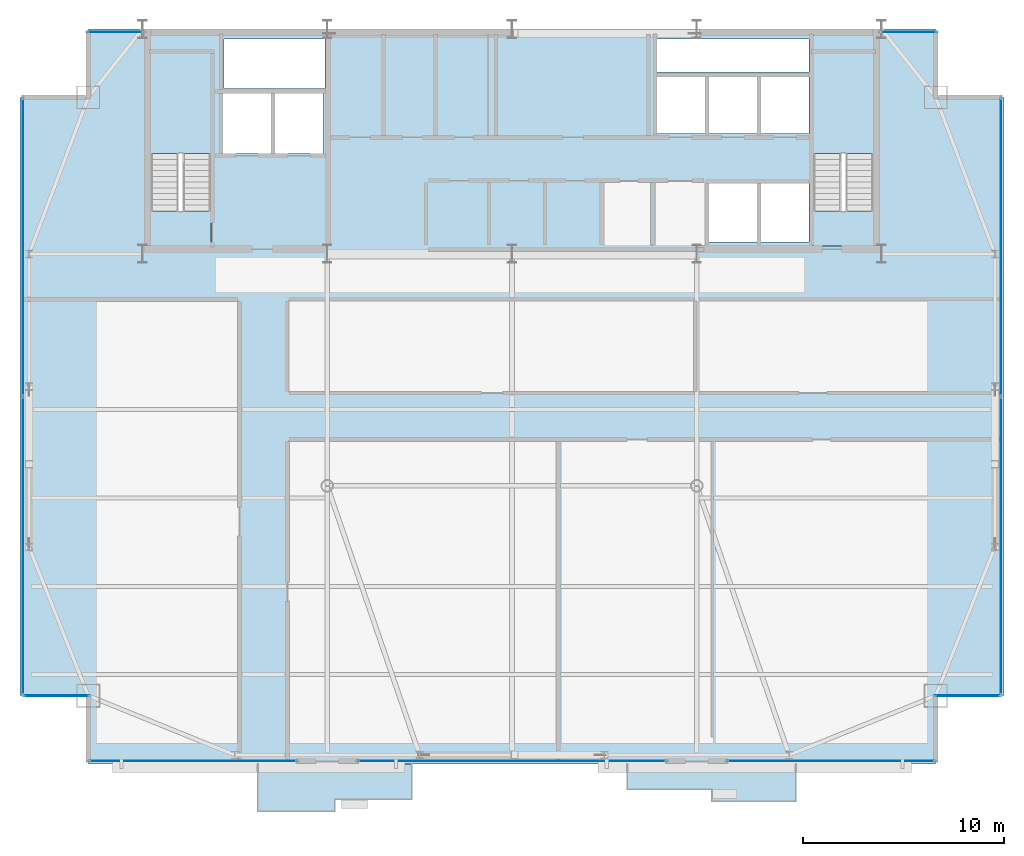
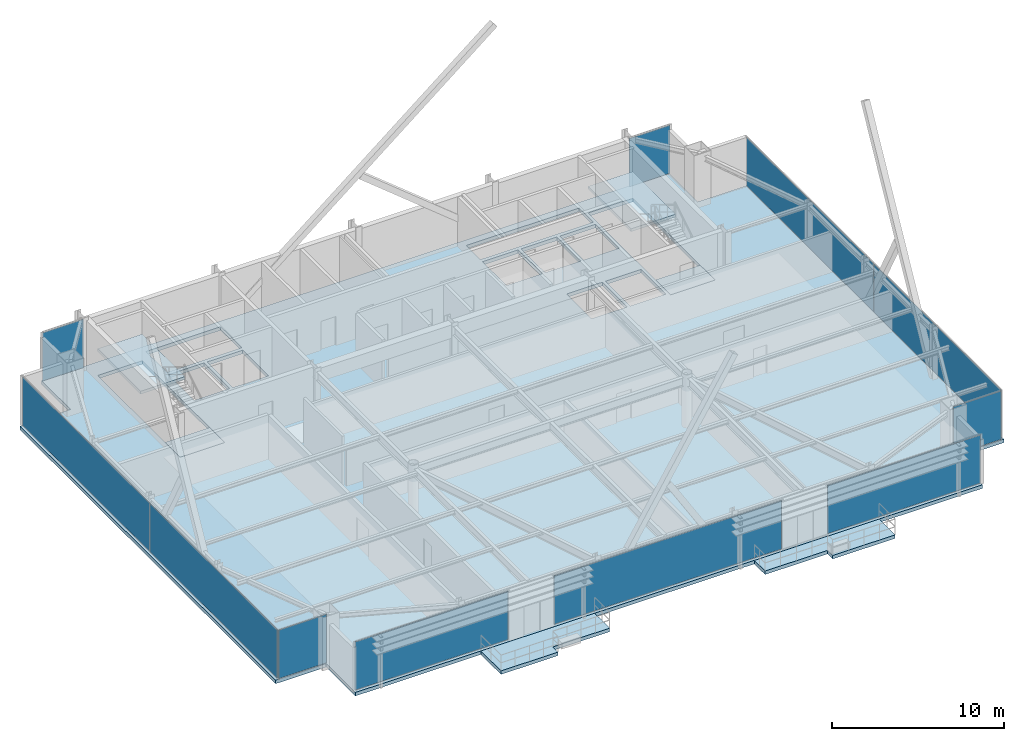
# One storey, part 24 of 31: 11 plates, 7 slabs, 11 elements without a shape of their own.
"""IFC4 building model written with IfcOpenShell, lengths in metres."""

from ifc_helpers import new_model, si_unit, direction, frame, origin, origin_2d, place, context, subcontext, project, spatial, polyline, rectangle, outline, extrude, source, transform, mapped, material, layer, layer_set, type_object, type_shapes, element, aggregate, save


model = new_model("IFC4")

# Units and contexts
model_context = context("Model", 3, precision=1e-05, world=origin(), true_north=direction((0.0, 1.0)))
body_context = subcontext(model_context, "Body", "Model", "MODEL_VIEW")
ifc_project = project(units=[si_unit("LENGTHUNIT", "METRE"), si_unit("AREAUNIT", "SQUARE_METRE"), si_unit("VOLUMEUNIT", "CUBIC_METRE"), si_unit("PLANEANGLEUNIT", "RADIAN"), si_unit("MASSUNIT", "GRAM", prefix="KILO")], contexts=[model_context])

# Site, building, storey
site_placement = place(None, origin())
site = spatial("IfcSite", under=ifc_project, at=site_placement, CompositionType="ELEMENT")
building_placement = place(site_placement, origin())
building = spatial("IfcBuilding", under=site, at=building_placement, Name="Varnel Quay Broadcast Tower", CompositionType="ELEMENT")
storey_placement = place(building_placement, frame((0.0, 0.0, 239.39990234375)))
storey = spatial("IfcBuildingStorey", under=building, at=storey_placement, Name="L59", CompositionType="ELEMENT", Elevation=239.39990234375)

# Slabs
ifc_material_1 = material(Name="Concrete CSA A23.3 C40/50", Category="concrete")
ifc_layer_1 = layer(ifc_material_1, 0.25, Name="Concrete CSA A23.3 C40/50")
ifc_layer_set_1 = layer_set([ifc_layer_1], Name="Concrete CSA A23.3 C40/50")
slab_type_1 = type_object("IfcSlabType", Name="Slab_ExtTerrace250", PredefinedType="FLOOR", material=ifc_layer_set_1)
slab_1_placement = place(storey_placement, frame((0.0, 0.0, -0.25)))
element("IfcSlab", 1, at=slab_1_placement, inside=storey, type_object=slab_type_1, Name="L59 Planted Lobe Terrace Slab 1", PredefinedType="FLOOR", context=body_context, shape_type="SweptSolid", body=[
    extrude(outline(polyline([(21.340087890625, 7.85400390625), (25.169921875, 7.85400390625), (25.169921875, 8.4541015625), (29.0, 8.4541015625), (29.0, 10.199951171875), (21.340087890625, 10.199951171875), (21.340087890625, 7.85400390625)])), origin(), (0.0, 0.0, 1.0), 0.25),
])
slab_2_placement = place(storey_placement, frame((0.0, 0.0, -0.25)))
element("IfcSlab", 2, at=slab_2_placement, inside=storey, type_object=slab_type_1, Name="L59 Planted Lobe Terrace Slab 2", PredefinedType="FLOOR", context=body_context, shape_type="SweptSolid", body=[
    extrude(outline(polyline([(39.739990234375, 8.946044921875), (43.93994140625, 8.946044921875), (43.93994140625, 8.345947265625), (48.139892578125, 8.345947265625), (48.139892578125, 10.199951171875), (39.739990234375, 10.199951171875), (39.739990234375, 8.946044921875)])), origin(), (0.0, 0.0, 1.0), 0.25),
])
ifc_material_2 = material(Name="Concrete CSA A23.3 C50/60", Category="concrete")
ifc_layer_2 = layer(ifc_material_2, 0.25, Name="Concrete CSA A23.3 C50/60")
ifc_layer_set_2 = layer_set([ifc_layer_2], Name="Concrete CSA A23.3 C50/60")
slab_type_2 = type_object("IfcSlabType", Name="Slab_Floor250", PredefinedType="FLOOR", material=ifc_layer_set_2)
slab_3_placement = place(storey_placement, frame((0.0, 0.0, -0.25)))
element("IfcSlab", 3, at=slab_3_placement, inside=storey, type_object=slab_type_2, Name="L59 Structural Slab", PredefinedType="FLOOR", context=body_context, shape_type="SweptSolid", body=[
    extrude(outline(polyline([(12.89990234375, 10.199951171875), (55.10009765625, 10.199951171875), (55.10009765625, 13.60009765625), (58.5, 13.60009765625), (58.5, 43.39990234375), (55.10009765625, 43.39990234375), (55.10009765625, 46.800048828125), (12.89990234375, 46.800048828125), (12.89990234375, 43.39990234375), (9.5, 43.39990234375), (9.5, 13.60009765625), (12.89990234375, 13.60009765625), (12.89990234375, 10.199951171875)]), holes=[polyline([(19.0, 36.0), (16.0, 36.0), (16.0, 45.60009765625), (19.0, 45.60009765625), (19.0, 36.0)]), polyline([(19.60009765625, 40.60009765625), (19.60009765625, 43.60009765625), (22.0, 43.60009765625), (22.0, 40.60009765625), (19.60009765625, 40.60009765625)]), polyline([(22.199951171875, 40.60009765625), (22.199951171875, 43.60009765625), (24.60009765625, 43.60009765625), (24.60009765625, 40.60009765625), (22.199951171875, 40.60009765625)]), polyline([(41.199951171875, 44.39990234375), (43.60009765625, 44.39990234375), (43.60009765625, 41.60009765625), (41.199951171875, 41.60009765625), (41.199951171875, 44.39990234375)]), polyline([(43.800048828125, 44.39990234375), (46.199951171875, 44.39990234375), (46.199951171875, 41.60009765625), (43.800048828125, 41.60009765625), (43.800048828125, 44.39990234375)]), polyline([(19.64990234375, 43.85009765625), (19.64990234375, 46.300048828125), (24.679931640625, 46.300048828125), (24.679931640625, 43.85009765625), (19.64990234375, 43.85009765625)]), polyline([(43.800048828125, 39.10009765625), (46.199951171875, 39.10009765625), (46.199951171875, 36.199951171875), (43.800048828125, 36.199951171875), (43.800048828125, 39.10009765625)]), polyline([(46.39990234375, 39.10009765625), (48.800048828125, 39.10009765625), (48.800048828125, 36.199951171875), (46.39990234375, 36.199951171875), (46.39990234375, 39.10009765625)]), polyline([(52.0, 36.0), (49.0, 36.0), (49.0, 45.60009765625), (52.0, 45.60009765625), (52.0, 36.0)]), polyline([(46.39990234375, 44.39990234375), (48.800048828125, 44.39990234375), (48.800048828125, 41.60009765625), (46.39990234375, 41.60009765625), (46.39990234375, 44.39990234375)]), polyline([(41.199951171875, 46.300048828125), (48.800048828125, 46.300048828125), (48.800048828125, 44.64990234375), (41.199951171875, 44.64990234375), (41.199951171875, 46.300048828125)])]), origin(), (0.0, 0.0, 1.0), 0.25),
])
ifc_layer_3 = layer(ifc_material_2, 0.25, Name="Concrete CSA A23.3 C50/60")
ifc_layer_set_3 = layer_set([ifc_layer_3], Name="Concrete CSA A23.3 C50/60")
slab_type_3 = type_object("IfcSlabType", Name="Slab_StairFloorLanding250", PredefinedType="FLOOR", material=ifc_layer_set_3)
slab_4_placement = place(storey_placement, frame((0.0, 0.0, -0.25)))
element("IfcSlab", 4, at=slab_4_placement, inside=storey, type_object=slab_type_3, Name="L59 ST-01 Structural Floor Landing Slab", PredefinedType="FLOOR", context=body_context, shape_type="SweptSolid", body=[
    extrude(outline(polyline([(19.0, 36.0), (19.0, 37.75), (16.0, 37.75), (16.0, 36.0), (19.0, 36.0)])), origin(), (0.0, 0.0, 1.0), 0.25),
])
slab_5_placement = place(storey_placement, frame((0.0, 0.0, -0.25)))
element("IfcSlab", 5, at=slab_5_placement, inside=storey, type_object=slab_type_3, Name="L59 ST-02 Structural Floor Landing Slab", PredefinedType="FLOOR", context=body_context, shape_type="SweptSolid", body=[
    extrude(outline(polyline([(52.0, 36.0), (52.0, 37.75), (49.0, 37.75), (49.0, 36.0), (52.0, 36.0)])), origin(), (0.0, 0.0, 1.0), 0.25),
])

# Stair, slab
ifc_material_3 = material(Name="Precast Structural Concrete C40/50", Category="concrete")
stair_type_1 = type_object("IfcStairType", Name="Stair_ST-01", PredefinedType="HALF_TURN_STAIR", material=ifc_material_3)
stair_1_placement = place(storey_placement, origin())
stair_1 = element("IfcStair", 6, at=stair_1_placement, inside=storey, type_object=stair_type_1, Name="L59 West Core Exit Stair 1", PredefinedType="HALF_TURN_STAIR")
ifc_layer_4 = layer(ifc_material_3, 0.199951171875, Name="Precast Structural Concrete C40/50")
ifc_layer_set_4 = layer_set([ifc_layer_4], Name="Precast Structural Concrete C40/50")
slab_type_4 = type_object("IfcSlabType", Name="Slab_StairLanding200", PredefinedType="LANDING", material=ifc_layer_set_4)
slab_6_placement = place(storey_placement, frame((0.0, 0.0, 1.7001953125)))
slab_6 = element("IfcSlab", 7, at=slab_6_placement, type_object=slab_type_4, Name="ST-01 landing 1", PredefinedType="LANDING", context=body_context, shape_type="SweptSolid", body=[
    extrude(outline(polyline([(19.0, 40.60009765625), (19.0, 45.60009765625), (16.0, 45.60009765625), (16.0, 40.60009765625), (19.0, 40.60009765625)])), origin(), (0.0, 0.0, 1.0), 0.199951171875),
])
aggregate(stair_1, [slab_6])

stair_type_2 = type_object("IfcStairType", Name="Stair_ST-02", PredefinedType="HALF_TURN_STAIR", material=ifc_material_3)
stair_2_placement = place(storey_placement, origin())
stair_2 = element("IfcStair", 8, at=stair_2_placement, inside=storey, type_object=stair_type_2, Name="L59 East Core Exit Stair 2", PredefinedType="HALF_TURN_STAIR")
slab_7_placement = place(storey_placement, frame((0.0, 0.0, 1.7001953125)))
slab_7 = element("IfcSlab", 9, at=slab_7_placement, type_object=slab_type_4, Name="ST-02 landing 1", PredefinedType="LANDING", context=body_context, shape_type="SweptSolid", body=[
    extrude(outline(polyline([(52.0, 40.60009765625), (52.0, 45.60009765625), (49.0, 45.60009765625), (49.0, 40.60009765625), (52.0, 40.60009765625)])), origin(), (0.0, 0.0, 1.0), 0.199951171875),
])
aggregate(stair_2, [slab_7])

# Curtain wall, plate
ifc_material_4 = material(Name="Anodised Bronze Aluminium 6063-T6", Category="aluminium")
ifc_layer_5 = layer(ifc_material_4, 0.18994140625, Name="Anodised Bronze Aluminium 6063-T6")
ifc_layer_set_5 = layer_set([ifc_layer_5], Name="Anodised Bronze Aluminium 6063-T6")
curtain_wall_type_1 = type_object("IfcCurtainWallType", Name="CW_UpperTower", PredefinedType="NOTDEFINED", material=ifc_layer_set_5)
curtain_wall_1_placement = place(storey_placement, origin())
curtain_wall_1 = element("IfcCurtainWall", 10, at=curtain_wall_1_placement, inside=storey, type_object=curtain_wall_type_1, Name="L59 South Unitised Curtain Wall 1", PredefinedType="NOTDEFINED")
ifc_material_5 = material(Name="Triple-Glazed Bronze Low-E Architectural Glass", Category="glass")
ifc_layer_6 = layer(ifc_material_5, 0.030029296875, Name="Triple-Glazed Bronze Low-E Architectural Glass")
ifc_layer_set_6 = layer_set([ifc_layer_6], Name="Triple-Glazed Bronze Low-E Architectural Glass")
plate_type_1 = type_object("IfcPlateType", Name="Panel_CWS-03", PredefinedType="CURTAIN_PANEL", material=ifc_layer_set_6)
shared_shape_1 = source(origin(), body_context, "Body", "SweptSolid", [
    extrude(rectangle(XDim=10.2900390625, YDim=0.030029296875, at=origin_2d()), origin(), (0.0, 0.0, 1.0), 3.429931640625),
])
plate_1_placement = place(storey_placement, frame((18.110107421875, 10.35009765625, 0.06005859375), z_axis=(0.0, 0.0, 1.0), x_axis=(1.0, 0.0, 0.0)))
plate_1 = element("IfcPlate", 11, at=plate_1_placement, type_object=plate_type_1, Name="CWS-03 panel 1.1", PredefinedType="CURTAIN_PANEL", context=body_context, shape_type="MappedRepresentation", body=[
    mapped(shared_shape_1, transform((0.0, 0.0, 0.0), x_axis=(1.0, 0.0, 0.0), y_axis=(0.0, 1.0, 0.0), z_axis=(0.0, 0.0, 1.0), scale=1.0)),
])
aggregate(curtain_wall_1, [plate_1])

curtain_wall_2_placement = place(storey_placement, origin())
curtain_wall_2 = element("IfcCurtainWall", 12, at=curtain_wall_2_placement, inside=storey, type_object=curtain_wall_type_1, Name="L59 South Unitised Curtain Wall 3", PredefinedType="NOTDEFINED")
plate_2_placement = place(storey_placement, frame((49.889892578125, 10.35009765625, 0.06005859375), z_axis=(0.0, 0.0, 1.0), x_axis=(1.0, 0.0, 0.0)))
plate_2 = element("IfcPlate", 13, at=plate_2_placement, type_object=plate_type_1, Name="CWS-03 panel 1.1", PredefinedType="CURTAIN_PANEL", context=body_context, shape_type="MappedRepresentation", body=[
    mapped(shared_shape_1, transform((0.0, 0.0, 0.0), x_axis=(1.0, 0.0, 0.0), y_axis=(0.0, 1.0, 0.0), z_axis=(0.0, 0.0, 1.0), scale=1.0)),
])
aggregate(curtain_wall_2, [plate_2])

# Curtain wall, plates
curtain_wall_3_placement = place(storey_placement, origin())
curtain_wall_3 = element("IfcCurtainWall", 14, at=curtain_wall_3_placement, inside=storey, type_object=curtain_wall_type_1, Name="L59 West Unitised Curtain Wall", PredefinedType="NOTDEFINED")
ifc_material_6 = material(Name="Insulated Bronze Spandrel Glass", Category="glass")
ifc_layer_7 = layer(ifc_material_6, 0.030029296875, Name="Insulated Bronze Spandrel Glass")
ifc_layer_set_7 = layer_set([ifc_layer_7], Name="Insulated Bronze Spandrel Glass")
plate_type_2 = type_object("IfcPlateType", Name="PanelSp_CWS-03", PredefinedType="CURTAIN_PANEL", material=ifc_layer_set_7)
shared_shape_2 = source(origin(), body_context, "Body", "SweptSolid", [
    extrude(rectangle(XDim=14.802490234375, YDim=0.030029296875, at=origin_2d()), origin(), (0.0, 0.0, 1.0), 3.429931640625),
])
plate_3_placement = place(storey_placement, frame((9.64990234375, 21.066162109375, 0.06005859375), z_axis=(0.0, 0.0, 1.0), x_axis=(0.0, 1.0, 0.0)))
plate_3 = element("IfcPlate", 15, at=plate_3_placement, type_object=plate_type_2, Name="CWS-03 panel 1.1", PredefinedType="CURTAIN_PANEL", context=body_context, shape_type="MappedRepresentation", body=[
    mapped(shared_shape_2, transform((0.0, 0.0, 0.0), x_axis=(1.0, 0.0, 0.0), y_axis=(0.0, 1.0, 0.0), z_axis=(0.0, 0.0, 1.0), scale=1.0)),
])
plate_4_placement = place(storey_placement, frame((9.64990234375, 35.933837890625, 0.06005859375), z_axis=(0.0, 0.0, 1.0), x_axis=(0.0, 1.0, 0.0)))
plate_4 = element("IfcPlate", 16, at=plate_4_placement, type_object=plate_type_2, Name="CWS-03 panel 2.1", PredefinedType="CURTAIN_PANEL", context=body_context, shape_type="MappedRepresentation", body=[
    mapped(shared_shape_2, transform((0.0, 0.0, 0.0), x_axis=(1.0, 0.0, 0.0), y_axis=(0.0, 1.0, 0.0), z_axis=(0.0, 0.0, 1.0), scale=1.0)),
])
aggregate(curtain_wall_3, [plate_3, plate_4])

curtain_wall_4_placement = place(storey_placement, origin())
curtain_wall_4 = element("IfcCurtainWall", 17, at=curtain_wall_4_placement, inside=storey, type_object=curtain_wall_type_1, Name="L59 East Unitised Curtain Wall", PredefinedType="NOTDEFINED")
plate_5_placement = place(storey_placement, frame((58.35009765625, 21.066162109375, 0.06005859375), z_axis=(0.0, 0.0, 1.0), x_axis=(0.0, 1.0, 0.0)))
plate_5 = element("IfcPlate", 18, at=plate_5_placement, type_object=plate_type_2, Name="CWS-03 panel 1.1", PredefinedType="CURTAIN_PANEL", context=body_context, shape_type="MappedRepresentation", body=[
    mapped(shared_shape_2, transform((0.0, 0.0, 0.0), x_axis=(1.0, 0.0, 0.0), y_axis=(0.0, 1.0, 0.0), z_axis=(0.0, 0.0, 1.0), scale=1.0)),
])
plate_6_placement = place(storey_placement, frame((58.35009765625, 35.933837890625, 0.06005859375), z_axis=(0.0, 0.0, 1.0), x_axis=(0.0, 1.0, 0.0)))
plate_6 = element("IfcPlate", 19, at=plate_6_placement, type_object=plate_type_2, Name="CWS-03 panel 2.1", PredefinedType="CURTAIN_PANEL", context=body_context, shape_type="MappedRepresentation", body=[
    mapped(shared_shape_2, transform((0.0, 0.0, 0.0), x_axis=(1.0, 0.0, 0.0), y_axis=(0.0, 1.0, 0.0), z_axis=(0.0, 0.0, 1.0), scale=1.0)),
])
aggregate(curtain_wall_4, [plate_5, plate_6])

# Curtain wall, plate
ifc_layer_8 = layer(ifc_material_4, 0.18994140625, Name="Anodised Bronze Aluminium 6063-T6")
ifc_layer_set_8 = layer_set([ifc_layer_8], Name="Anodised Bronze Aluminium 6063-T6")
curtain_wall_type_2 = type_object("IfcCurtainWallType", Name="CW_NotchCorner", PredefinedType="NOTDEFINED", material=ifc_layer_set_8)
curtain_wall_5_placement = place(storey_placement, origin())
curtain_wall_5 = element("IfcCurtainWall", 20, at=curtain_wall_5_placement, inside=storey, type_object=curtain_wall_type_2, Name="L59 SW Notch Curtain Wall", PredefinedType="NOTDEFINED")
ifc_layer_9 = layer(ifc_material_5, 0.028076171875, Name="Triple-Glazed Bronze Low-E Architectural Glass")
ifc_layer_set_9 = layer_set([ifc_layer_9], Name="Triple-Glazed Bronze Low-E Architectural Glass")
plate_type_3 = type_object("IfcPlateType", Name="Panel_CWS-04", PredefinedType="CURTAIN_PANEL", material=ifc_layer_set_9)
shared_shape_3 = source(origin(), body_context, "Body", "SweptSolid", [
    extrude(rectangle(XDim=3.2099609375, YDim=0.028076171875, at=origin_2d()), origin(), (0.0, 0.0, 1.0), 3.43994140625),
])
type_shapes(plate_type_3, [shared_shape_3])
plate_7_placement = place(storey_placement, frame((11.31494140625, 13.60009765625, 0.05517578125), z_axis=(0.0, 0.0, 1.0), x_axis=(1.0, 0.0, 0.0)))
plate_7 = element("IfcPlate", 21, at=plate_7_placement, type_object=plate_type_3, Name="CWS-04 panel 1.1", PredefinedType="CURTAIN_PANEL", context=body_context, shape_type="MappedRepresentation", body=[
    mapped(shared_shape_3, transform((0.0, 0.0, 0.0), x_axis=(1.0, 0.0, 0.0), y_axis=(0.0, 1.0, 0.0), z_axis=(0.0, 0.0, 1.0), scale=1.0)),
])
aggregate(curtain_wall_5, [plate_7])

curtain_wall_6_placement = place(storey_placement, origin())
curtain_wall_6 = element("IfcCurtainWall", 22, at=curtain_wall_6_placement, inside=storey, type_object=curtain_wall_type_2, Name="L59 SE Notch Curtain Wall", PredefinedType="NOTDEFINED")
plate_8_placement = place(storey_placement, frame((56.68505859375, 13.60009765625, 0.05517578125), z_axis=(0.0, 0.0, 1.0), x_axis=(1.0, 0.0, 0.0)))
plate_8 = element("IfcPlate", 23, at=plate_8_placement, type_object=plate_type_3, Name="CWS-04 panel 1.1", PredefinedType="CURTAIN_PANEL", context=body_context, shape_type="MappedRepresentation", body=[
    mapped(shared_shape_3, transform((0.0, 0.0, 0.0), x_axis=(1.0, 0.0, 0.0), y_axis=(0.0, 1.0, 0.0), z_axis=(0.0, 0.0, 1.0), scale=1.0)),
])
aggregate(curtain_wall_6, [plate_8])

curtain_wall_7_placement = place(storey_placement, origin())
curtain_wall_7 = element("IfcCurtainWall", 24, at=curtain_wall_7_placement, inside=storey, type_object=curtain_wall_type_1, Name="L59 NW Wing Curtain Wall", PredefinedType="NOTDEFINED")
shared_shape_4 = source(origin(), body_context, "Body", "SweptSolid", [
    extrude(rectangle(XDim=2.75, YDim=0.030029296875, at=origin_2d()), origin(), (0.0, 0.0, 1.0), 3.429931640625),
])
type_shapes(plate_type_1, [shared_shape_1, shared_shape_4])
plate_9_placement = place(storey_placement, frame((14.260009765625, 46.64990234375, 0.06005859375), z_axis=(0.0, 0.0, 1.0), x_axis=(1.0, 0.0, 0.0)))
plate_9 = element("IfcPlate", 25, at=plate_9_placement, type_object=plate_type_1, Name="CWS-03 panel 1.1", PredefinedType="CURTAIN_PANEL", context=body_context, shape_type="MappedRepresentation", body=[
    mapped(shared_shape_4, transform((0.0, 0.0, 0.0), x_axis=(1.0, 0.0, 0.0), y_axis=(0.0, 1.0, 0.0), z_axis=(0.0, 0.0, 1.0), scale=1.0)),
])
aggregate(curtain_wall_7, [plate_9])

curtain_wall_8_placement = place(storey_placement, origin())
curtain_wall_8 = element("IfcCurtainWall", 26, at=curtain_wall_8_placement, inside=storey, type_object=curtain_wall_type_1, Name="L59 NE Wing Curtain Wall", PredefinedType="NOTDEFINED")
plate_10_placement = place(storey_placement, frame((53.739990234375, 46.64990234375, 0.06005859375), z_axis=(0.0, 0.0, 1.0), x_axis=(1.0, 0.0, 0.0)))
plate_10 = element("IfcPlate", 27, at=plate_10_placement, type_object=plate_type_1, Name="CWS-03 panel 1.1", PredefinedType="CURTAIN_PANEL", context=body_context, shape_type="MappedRepresentation", body=[
    mapped(shared_shape_4, transform((0.0, 0.0, 0.0), x_axis=(1.0, 0.0, 0.0), y_axis=(0.0, 1.0, 0.0), z_axis=(0.0, 0.0, 1.0), scale=1.0)),
])
aggregate(curtain_wall_8, [plate_10])

curtain_wall_9_placement = place(storey_placement, origin())
curtain_wall_9 = element("IfcCurtainWall", 28, at=curtain_wall_9_placement, inside=storey, type_object=curtain_wall_type_1, Name="L59 South Unitised Curtain Wall 2", PredefinedType="NOTDEFINED")
shared_shape_5 = source(origin(), body_context, "Body", "SweptSolid", [
    extrude(rectangle(XDim=15.31005859375, YDim=0.030029296875, at=origin_2d()), origin(), (0.0, 0.0, 1.0), 3.429931640625),
])
type_shapes(plate_type_2, [shared_shape_2, shared_shape_5])
plate_11_placement = place(storey_placement, frame((34.0, 10.35009765625, 0.06005859375), z_axis=(0.0, 0.0, 1.0), x_axis=(1.0, 0.0, 0.0)))
plate_11 = element("IfcPlate", 29, at=plate_11_placement, type_object=plate_type_2, Name="CWS-03 panel 1.1", PredefinedType="CURTAIN_PANEL", context=body_context, shape_type="MappedRepresentation", body=[
    mapped(shared_shape_5, transform((0.0, 0.0, 0.0), x_axis=(1.0, 0.0, 0.0), y_axis=(0.0, 1.0, 0.0), z_axis=(0.0, 0.0, 1.0), scale=1.0)),
])
aggregate(curtain_wall_9, [plate_11])

save(model, "model.ifc")
